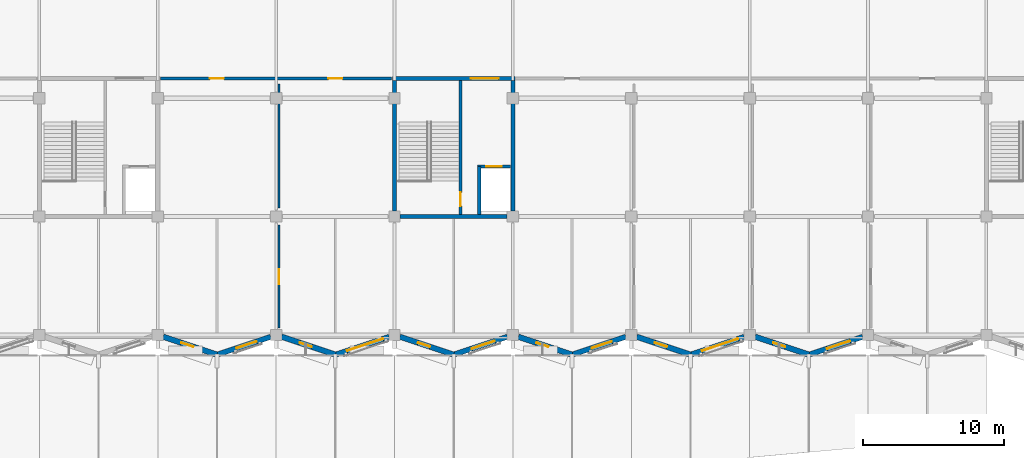
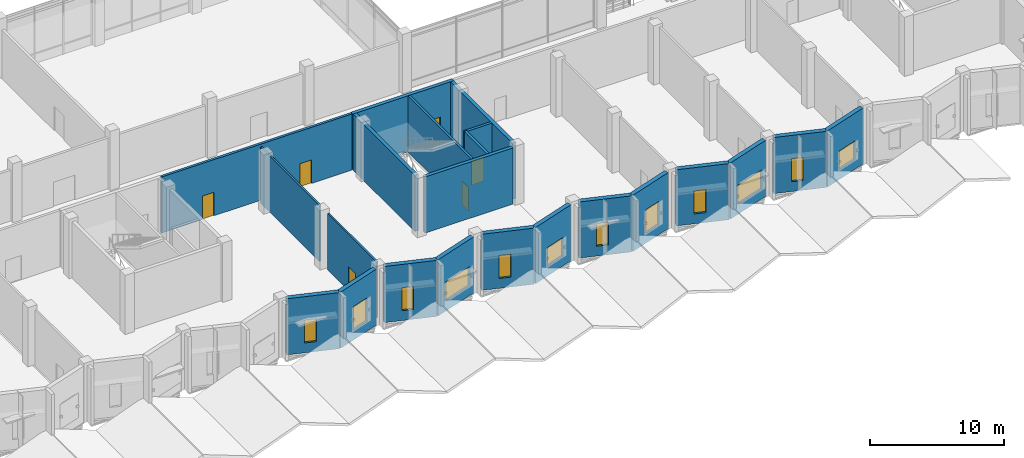
# One storey, part 56 of 72: 22 walls, 12 windows, 6 doors, 18 openings.
"""IFC4 building model written with IfcOpenShell, lengths in metres."""

import ifcopenshell
import ifcopenshell.guid

model = None  # the IFC model being written
_history = None  # IfcOwnerHistory: only IFC2X3 demands one
_inside = {}  # id of a spatial element -> (the spatial element, [elements in it])
_under = {}  # id of a project, library or spatial element -> (it, [spatial elements below it])
_declared = {}  # id of a project -> (the project, [libraries it declares])
_typed = {}  # id of a type object -> (the type object, [elements of that type])
_made_of = {}  # id of a material, layer set ... -> (it, [elements and type objects made of it])


def new_model(schema):
    """Start an empty IFC model of exactly this schema.

    Asked for "IFC4X3", IfcOpenShell would pick the latest addendum, in which some entities
    have other attributes; the version numbers below select the first issue.
    IFC2X3 requires an IfcOwnerHistory on every rooted entity: one is made here for all.
    """
    global model, _history
    if schema == "IFC4X3":
        model = ifcopenshell.file(schema_version=(4, 3, 0, 0))
    else:
        model = ifcopenshell.file(schema=schema)
    _inside.clear()
    _under.clear()
    _declared.clear()
    _typed.clear()
    _made_of.clear()
    _history = None
    if model.schema == "IFC2X3":
        org = make("IfcOrganization", Name="unknown")
        user = make(
            "IfcPersonAndOrganization",
            ThePerson=make("IfcPerson", FamilyName="unknown"),
            TheOrganization=org,
        )
        app = make(
            "IfcApplication",
            ApplicationDeveloper=org,
            Version="unknown",
            ApplicationFullName="unknown",
            ApplicationIdentifier="unknown",
        )
        _history = make(
            "IfcOwnerHistory",
            OwningUser=user,
            OwningApplication=app,
            ChangeAction="ADDED",
            CreationDate=0,
        )
    return model


def make(cls, **values):
    """One entity of the class cls with the attributes given. An attribute that is None is left unset."""
    return model.create_entity(
        cls, **{name: value for name, value in values.items() if value is not None}
    )


def rooted(cls, **values):
    """An entity with a GlobalId (a new one), such as an element, a storey or a relation."""
    return make(cls, GlobalId=ifcopenshell.guid.new(), OwnerHistory=_history, **values)


def si_unit(unit_type, name, prefix=None):
    """IfcSIUnit, for example si_unit("LENGTHUNIT", "METRE", prefix="MILLI")."""
    return make("IfcSIUnit", UnitType=unit_type, Prefix=prefix, Name=name)


def assignment(units):
    """IfcUnitAssignment: the units of a project."""
    return None if units is None else make("IfcUnitAssignment", Units=units)


def point(xyz):
    """IfcCartesianPoint."""
    return None if xyz is None else make("IfcCartesianPoint", Coordinates=xyz)


def direction(xyz):
    """IfcDirection."""
    return None if xyz is None else make("IfcDirection", DirectionRatios=xyz)


def frame(location, z_axis=None, x_axis=None):
    """IfcAxis2Placement3D, a coordinate frame: its origin and axes. An axis left out is left unset."""
    return make(
        "IfcAxis2Placement3D",
        Location=point(location),
        Axis=direction(z_axis),
        RefDirection=direction(x_axis),
    )


def frame_2d(location, x_axis=None):
    """IfcAxis2Placement2D, a coordinate frame in the plane: its origin and x axis."""
    return make(
        "IfcAxis2Placement2D", Location=point(location), RefDirection=direction(x_axis)
    )


def origin():
    """The frame at (0, 0, 0) with its axes left unset."""
    return frame((0.0, 0.0, 0.0))


def place(relative_to, where):
    """IfcLocalPlacement: puts the frame where relative to a parent placement (None: the world)."""
    return make(
        "IfcLocalPlacement", PlacementRelTo=relative_to, RelativePlacement=where
    )


def context(
    kind, dimensions, precision=None, world=None, true_north=None, identifier=None
):
    """IfcGeometricRepresentationContext, for example the 3D "Model" context."""
    return make(
        "IfcGeometricRepresentationContext",
        ContextIdentifier=identifier,
        ContextType=kind,
        CoordinateSpaceDimension=dimensions,
        Precision=precision,
        WorldCoordinateSystem=world,
        TrueNorth=true_north,
    )


def subcontext(parent, identifier, kind, view, scale=None):
    """IfcGeometricRepresentationSubContext, for example "Body" below "Model"."""
    return make(
        "IfcGeometricRepresentationSubContext",
        ContextIdentifier=identifier,
        ContextType=kind,
        ParentContext=parent,
        TargetScale=scale,
        TargetView=view,
    )


def project(units=None, contexts=None):
    """IfcProject with its units and contexts."""
    return rooted(
        "IfcProject",
        Name="project",
        RepresentationContexts=contexts,
        UnitsInContext=assignment(units),
    )


def spatial(cls, under=None, at=None, **own):
    """A site, building, storey or space (cls), placed at a placement, below another one or the project."""
    s = rooted(cls, ObjectPlacement=at, **own)
    if under is not None:
        _under.setdefault(under.id(), (under, []))[1].append(s)
    return s


def profile(cls, at=None, kind="AREA", **sizes):
    """A parametric profile (cls). Its sizes go by their IFC names, for example OverallWidth=200.0."""
    return make(cls, ProfileType=kind, Position=at, **sizes)


def rectangle(**sizes):
    """IfcRectangleProfileDef."""
    return profile("IfcRectangleProfileDef", **sizes)


def extrude(swept, where, along, depth):
    """IfcExtrudedAreaSolid: the profile swept, set in the frame where, extruded along a direction by depth."""
    return make(
        "IfcExtrudedAreaSolid",
        SweptArea=swept,
        Position=where,
        ExtrudedDirection=direction(along),
        Depth=depth,
    )


def shape(context_of_items, identifier, shape_type, items):
    """IfcShapeRepresentation: the items that make up one representation, for example the "Body"."""
    return make(
        "IfcShapeRepresentation",
        ContextOfItems=context_of_items,
        RepresentationIdentifier=identifier,
        RepresentationType=shape_type,
        Items=items,
    )


def material(Name=None, Category=None):
    """IfcMaterial."""
    return make("IfcMaterial", Name=Name, Category=Category)


def layer(
    of_material, thickness, ventilated=None, Name=None, Category=None, Priority=None
):
    """IfcMaterialLayer: one layer of a wall or slab, of a material (None: an air gap)."""
    return make(
        "IfcMaterialLayer",
        Material=of_material,
        LayerThickness=thickness,
        IsVentilated=ventilated,
        Name=Name,
        Category=Category,
        Priority=Priority,
    )


def layer_set(layers, Name=None):
    """IfcMaterialLayerSet."""
    return make("IfcMaterialLayerSet", MaterialLayers=layers, LayerSetName=Name)


def made_of(thing, what):
    """Note that an element or type object is made of a material, layer set ...; save() writes the relation."""
    if what is not None:
        _made_of.setdefault(what.id(), (what, []))[1].append(thing)
    return thing


def type_object(cls, material=None, **own):
    """A type object (cls), such as IfcWallType, which elements share."""
    return made_of(rooted(cls, **own), material)


def element(
    cls,
    number,
    at=None,
    inside=None,
    cuts=None,
    type_object=None,
    material=None,
    context=None,
    identifier="Body",
    shape_type=None,
    held_by="IfcProductDefinitionShape",
    body=None,
    shapes=None,
    **own,
):
    """One element of the class cls, such as IfcWall. Its Tag is "e" and its number.

    at: its placement. inside: the storey or other place that contains it. cuts: it is an
    opening in that element (IfcRelVoidsElement). A single representation is given by context,
    identifier, shape_type and body (its items); several are given by shapes. held_by: the class
    of the entity that holds the representations. save() writes the other relations.
    """
    e = rooted(cls, Tag="e%d" % number, ObjectPlacement=at, **own)
    if body is not None:
        shapes = [shape(context, identifier, shape_type, body)]
    if shapes is not None:
        e.Representation = make(held_by, Representations=shapes)
    if inside is not None:
        _inside.setdefault(inside.id(), (inside, []))[1].append(e)
    if cuts is not None:
        rooted(
            "IfcRelVoidsElement", RelatingBuildingElement=cuts, RelatedOpeningElement=e
        )
    if type_object is not None:
        _typed.setdefault(type_object.id(), (type_object, []))[1].append(e)
    return made_of(e, material)


def fill(opening, filler):
    """IfcRelFillsElement: the door or window that sits in an opening."""
    return rooted(
        "IfcRelFillsElement",
        RelatingOpeningElement=opening,
        RelatedBuildingElement=filler,
    )


def aggregate(whole, parts):
    """IfcRelAggregates: a whole, such as a stair, and the parts it consists of."""
    return rooted("IfcRelAggregates", RelatingObject=whole, RelatedObjects=parts)


def save(model, path):
    """Write the relations noted so far, then the file.

    IfcRelAggregates (storeys below a building ...), IfcRelContainedInSpatialStructure (elements
    in a storey), IfcRelDefinesByType, IfcRelAssociatesMaterial and IfcRelDeclares: one each for
    every whole, place, type object, material and project.
    """
    for whole, parts in _under.values():
        aggregate(whole, parts)
    for where, things in _inside.values():
        rooted(
            "IfcRelContainedInSpatialStructure",
            RelatedElements=things,
            RelatingStructure=where,
        )
    for kind, things in _typed.values():
        rooted("IfcRelDefinesByType", RelatedObjects=things, RelatingType=kind)
    for what, things in _made_of.values():
        rooted("IfcRelAssociatesMaterial", RelatedObjects=things, RelatingMaterial=what)
    for by, libraries in _declared.values():
        rooted("IfcRelDeclares", RelatingContext=by, RelatedDefinitions=libraries)
    model.write(path)


model = new_model("IFC4")

# Units and contexts
model_context = context("Model", 3, precision=1e-05, world=origin(), true_north=direction((0.0, 1.0)))
body_context = subcontext(model_context, "Body", "Model", "MODEL_VIEW")
ifc_project = project(units=[si_unit("LENGTHUNIT", "METRE"), si_unit("AREAUNIT", "SQUARE_METRE"), si_unit("VOLUMEUNIT", "CUBIC_METRE"), si_unit("PLANEANGLEUNIT", "RADIAN"), si_unit("MASSUNIT", "GRAM", prefix="KILO")], contexts=[model_context])

# Site, building, storey
site_placement = place(None, origin())
site = spatial("IfcSite", under=ifc_project, at=site_placement, CompositionType="ELEMENT")
building_placement = place(site_placement, origin())
building = spatial("IfcBuilding", under=site, at=building_placement, Name="Qawsi Khor Wholesale Market", CompositionType="ELEMENT")
storey_placement = place(building_placement, frame((0.0, 0.0, 6.0)))
storey = spatial("IfcBuildingStorey", under=building, at=storey_placement, Name="L01", CompositionType="ELEMENT", Elevation=6.0)

# Walls
ifc_material_1 = material(Name="Concrete C40/50", Category="concrete")
ifc_layer_1 = layer(ifc_material_1, 0.300048828125, Name="Concrete C40/50")
ifc_layer_set_1 = layer_set([ifc_layer_1], Name="Concrete C40/50")
wall_type_1 = type_object("IfcWallType", Name="Core Shear Wall RC 300 C40/50", PredefinedType="SHEAR", material=ifc_layer_set_1)
wall_1_placement = place(storey_placement, frame((150.794921875, 8.39990234375, 0.0), z_axis=(0.0, 0.0, 1.0), x_axis=(-1.0, 0.0, 0.0)))
element("IfcWall", 1, at=wall_1_placement, inside=storey, type_object=wall_type_1, Name="Core C05 south shear wall L01", PredefinedType="SHEAR", context=body_context, shape_type="SweptSolid", body=[
    extrude(rectangle(XDim=7.58984375, YDim=0.300048828125, at=frame_2d((3.794921875, 0.0))), origin(), (0.0, 0.0, 1.0), 5.1201171875),
])
wall_2_placement = place(storey_placement, frame((142.800048828125, 8.804931640625, 0.0), z_axis=(0.0, 0.0, 1.0), x_axis=(0.0, 1.0, 0.0)))
element("IfcWall", 2, at=wall_2_placement, inside=storey, type_object=wall_type_1, Name="Core C05 west shear wall L01", PredefinedType="SHEAR", context=body_context, shape_type="SweptSolid", body=[
    extrude(rectangle(XDim=9.2451171875, YDim=0.300048828125, at=frame_2d((4.62255859375, 0.0))), origin(), (0.0, 0.0, 1.0), 5.1201171875),
])

# Wall, opening, door
wall_3_placement = place(storey_placement, frame((142.64990234375, 18.199951171875, 0.0), z_axis=(0.0, 0.0, 1.0), x_axis=(1.0, 0.0, 0.0)))
wall_3 = element("IfcWall", 3, at=wall_3_placement, inside=storey, type_object=wall_type_1, Name="Core C05 north shear wall L01", PredefinedType="SHEAR", context=body_context, shape_type="SweptSolid", body=[
    extrude(rectangle(XDim=8.7001953125, YDim=0.300048828125, at=frame_2d((4.35009765625, 0.0))), origin(), (0.0, 0.0, 1.0), 5.1201171875),
])
opening_1_placement = place(wall_3_placement, frame((5.570068359375, 0.0, 0.0)))
opening_1 = element("IfcOpeningElement", 4, at=opening_1_placement, cuts=wall_3, Name="Opening ID-01", PredefinedType="OPENING", context=body_context, shape_type="SweptSolid", body=[
    extrude(rectangle(XDim=1.9599609375, YDim=2.199951171875, at=frame_2d((0.97998046875, 1.10009765625))), frame((0.0, 0.159912109375, 0.0), z_axis=(0.0, -1.0, 0.0), x_axis=(1.0, 0.0, 0.0)), (0.0, 0.0, 1.0), 0.320068359375),
])
ifc_material_2 = material(Name="Steel Fire Door", Category="steel")
door_type_1 = type_object("IfcDoorType", Name="Stair & Core Fire Door 1960x2200 FD90S", OperationType="NOTDEFINED", PredefinedType="DOOR", material=ifc_material_2)
door_1_placement = place(opening_1_placement, origin())
door_1 = element("IfcDoor", 5, at=door_1_placement, inside=storey, type_object=door_type_1, Name="Core C05 fire door L01", OperationType="DOUBLE_DOOR_SINGLE_SWING", OverallHeight=2.199951171875, OverallWidth=1.9599609375, PredefinedType="DOOR", context=body_context, shape_type="SweptSolid", body=[
    extrude(rectangle(XDim=1.9599609375, YDim=2.199951171875, at=frame_2d((0.97998046875, 1.10009765625))), frame((0.0, 0.02490234375, 0.0), z_axis=(0.0, -1.0, 0.0), x_axis=(1.0, 0.0, 0.0)), (0.0, 0.0, 1.0), 0.050048828125),
])
fill(opening_1, door_1)

# Wall
wall_4_placement = place(storey_placement, frame((151.199951171875, 18.050048828125, 0.0), z_axis=(0.0, 0.0, 1.0), x_axis=(0.0, -1.0, 0.0)))
element("IfcWall", 6, at=wall_4_placement, inside=storey, type_object=wall_type_1, Name="Core C05 east shear wall L01", PredefinedType="SHEAR", context=body_context, shape_type="SweptSolid", body=[
    extrude(rectangle(XDim=9.2451171875, YDim=0.300048828125, at=frame_2d((4.62255859375, 0.0))), origin(), (0.0, 0.0, 1.0), 5.1201171875),
])

# Wall, openings, doors
ifc_material_3 = material(Name="Gypsum Fireboard on Steel Stud", Category="steel")
ifc_layer_2 = layer(ifc_material_3, 0.2099609375, Name="Gypsum Fireboard on Steel Stud")
ifc_layer_set_2 = layer_set([ifc_layer_2], Name="Gypsum Fireboard on Steel Stud")
wall_type_2 = type_object("IfcWallType", Name="Corridor Fire Partition Wall 210", PredefinedType="PARTITIONING", material=ifc_layer_set_2)
wall_5_placement = place(storey_placement, frame((126.199951171875, 18.199951171875, 0.0), z_axis=(0.0, 0.0, 1.0), x_axis=(1.0, 0.0, 0.0)))
wall_5 = element("IfcWall", 7, at=wall_5_placement, inside=storey, type_object=wall_type_2, Name="PW-L01-055", PredefinedType="PARTITIONING", context=body_context, shape_type="SweptSolid", body=[
    extrude(rectangle(XDim=16.400146484375, YDim=0.2099609375, at=frame_2d((8.2001953125, 0.0))), origin(), (0.0, 0.0, 1.0), 5.1201171875),
])
opening_2_placement = place(wall_5_placement, frame((3.5, 0.0, 0.0)))
opening_2 = element("IfcOpeningElement", 8, at=opening_2_placement, cuts=wall_5, Name="Opening ID-06", PredefinedType="OPENING", context=body_context, shape_type="SweptSolid", body=[
    extrude(rectangle(XDim=1.0, YDim=2.14990234375, at=frame_2d((0.5, 1.074951171875))), frame((0.0, 0.114990234375, 0.0), z_axis=(0.0, -1.0, 0.0), x_axis=(1.0, 0.0, 0.0)), (0.0, 0.0, 1.0), 0.22998046875),
])
opening_3_placement = place(wall_5_placement, frame((11.89990234375, 0.0, 0.0)))
opening_3 = element("IfcOpeningElement", 9, at=opening_3_placement, cuts=wall_5, Name="Opening ID-06", PredefinedType="OPENING", context=body_context, shape_type="SweptSolid", body=[
    extrude(rectangle(XDim=1.0, YDim=2.14990234375, at=frame_2d((0.5, 1.074951171875))), frame((0.0, 0.114990234375, 0.0), z_axis=(0.0, -1.0, 0.0), x_axis=(1.0, 0.0, 0.0)), (0.0, 0.0, 1.0), 0.22998046875),
])
ifc_material_4 = material(Name="Hardwood Timber Veneer", Category="wood")
door_type_2 = type_object("IfcDoorType", Name="Traders Office Single Door 1000x2150", OperationType="NOTDEFINED", PredefinedType="DOOR", material=ifc_material_4)
door_2_placement = place(opening_2_placement, origin())
door_2 = element("IfcDoor", 10, at=door_2_placement, inside=storey, type_object=door_type_2, Name="Traders Office Single Door 1000x2150 L01-059", OperationType="SINGLE_SWING_LEFT", OverallHeight=2.14990234375, OverallWidth=1.0, PredefinedType="DOOR", context=body_context, shape_type="SweptSolid", body=[
    extrude(rectangle(XDim=1.0, YDim=2.14990234375, at=frame_2d((0.5, 1.074951171875))), frame((0.0, 0.02490234375, 0.0), z_axis=(0.0, -1.0, 0.0), x_axis=(1.0, 0.0, 0.0)), (0.0, 0.0, 1.0), 0.050048828125),
])
fill(opening_2, door_2)
door_3_placement = place(opening_3_placement, origin())
door_3 = element("IfcDoor", 11, at=door_3_placement, inside=storey, type_object=door_type_2, Name="Traders Office Single Door 1000x2150 L01-060", OperationType="SINGLE_SWING_RIGHT", OverallHeight=2.14990234375, OverallWidth=1.0, PredefinedType="DOOR", context=body_context, shape_type="SweptSolid", body=[
    extrude(rectangle(XDim=1.0, YDim=2.14990234375, at=frame_2d((0.5, 1.074951171875))), frame((0.0, 0.02490234375, 0.0), z_axis=(0.0, -1.0, 0.0), x_axis=(1.0, 0.0, 0.0)), (0.0, 0.0, 1.0), 0.050048828125),
])
fill(opening_3, door_3)

# Wall
ifc_layer_3 = layer(ifc_material_1, 0.219970703125, Name="Concrete C40/50")
ifc_layer_set_3 = layer_set([ifc_layer_3], Name="Concrete C40/50")
wall_type_3 = type_object("IfcWallType", Name="Lift & Stair Shaft Wall RC 220", PredefinedType="SOLIDWALL", material=ifc_layer_set_3)
wall_6_placement = place(storey_placement, frame((148.81005859375, 8.56005859375, 0.0), z_axis=(0.0, 0.0, 1.0), x_axis=(0.0, 1.0, 0.0)))
element("IfcWall", 12, at=wall_6_placement, inside=storey, type_object=wall_type_3, Name="Lift PL-03 shaft wall W L01", PredefinedType="SOLIDWALL", context=body_context, shape_type="SweptSolid", body=[
    extrude(rectangle(XDim=3.389892578125, YDim=0.219970703125, at=frame_2d((1.69482421875, 0.0))), origin(), (0.0, 0.0, 1.0), 5.1201171875),
])

# Wall, opening, door
wall_7_placement = place(storey_placement, frame((148.699951171875, 11.949951171875, 0.0), z_axis=(0.0, 0.0, 1.0), x_axis=(1.0, 0.0, 0.0)))
wall_7 = element("IfcWall", 13, at=wall_7_placement, inside=storey, type_object=wall_type_3, Name="Lift PL-03 shaft wall N L01", PredefinedType="SOLIDWALL", context=body_context, shape_type="SweptSolid", body=[
    extrude(rectangle(XDim=2.340087890625, YDim=0.219970703125, at=frame_2d((1.169921875, 0.0))), origin(), (0.0, 0.0, 1.0), 5.1201171875),
])
opening_4_placement = place(wall_7_placement, frame((0.6201171875, 0.0, 0.0)))
opening_4 = element("IfcOpeningElement", 14, at=opening_4_placement, cuts=wall_7, Name="Opening LD-P110", PredefinedType="OPENING", context=body_context, shape_type="SweptSolid", body=[
    extrude(rectangle(XDim=1.10009765625, YDim=2.199951171875, at=frame_2d((0.550048828125, 1.10009765625))), frame((0.0, 0.119873046875, 0.0), z_axis=(0.0, -1.0, 0.0), x_axis=(1.0, 0.0, 0.0)), (0.0, 0.0, 1.0), 0.239990234375),
])
ifc_material_5 = material(Name="Brushed Stainless Steel", Category="steel")
door_type_3 = type_object("IfcDoorType", Name="Passenger Lift Landing Sliding Door 1100x2200 FD90S", OperationType="NOTDEFINED", PredefinedType="DOOR", material=ifc_material_5)
door_4_placement = place(opening_4_placement, origin())
door_4 = element("IfcDoor", 15, at=door_4_placement, inside=storey, type_object=door_type_3, Name="Lift PL-03 landing door L01", OperationType="SLIDING_TO_RIGHT", OverallHeight=2.199951171875, OverallWidth=1.10009765625, PredefinedType="DOOR", context=body_context, shape_type="SweptSolid", body=[
    extrude(rectangle(XDim=1.10009765625, YDim=2.199951171875, at=frame_2d((0.550048828125, 1.10009765625))), frame((0.0, 0.02490234375, 0.0), z_axis=(0.0, -1.0, 0.0), x_axis=(1.0, 0.0, 0.0)), (0.0, 0.0, 1.0), 0.050048828125),
])
fill(opening_4, door_4)

ifc_material_6 = material(Name="Gypsum Board on Metal Stud", Category="gypsum")
ifc_layer_4 = layer(ifc_material_6, 0.14990234375, Name="Gypsum Board on Metal Stud")
ifc_layer_set_4 = layer_set([ifc_layer_4], Name="Gypsum Board on Metal Stud")
wall_type_4 = type_object("IfcWallType", Name="Office Partition Wall 150", PredefinedType="PARTITIONING", material=ifc_layer_set_4)
wall_8_placement = place(storey_placement, frame((134.60009765625, 0.5, 0.0), z_axis=(0.0, 0.0, 1.0), x_axis=(0.0, 1.0, 0.0)))
wall_8 = element("IfcWall", 16, at=wall_8_placement, inside=storey, type_object=wall_type_4, Name="PW-L01-056", PredefinedType="PARTITIONING", context=body_context, shape_type="SweptSolid", body=[
    extrude(rectangle(XDim=7.300048828125, YDim=0.14990234375, at=frame_2d((3.64990234375, 0.0))), origin(), (0.0, 0.0, 1.0), 5.1201171875),
])
opening_5_placement = place(wall_8_placement, frame((3.10009765625, 0.0, 0.0)))
opening_5 = element("IfcOpeningElement", 17, at=opening_5_placement, cuts=wall_8, Name="Opening ID-07", PredefinedType="OPENING", context=body_context, shape_type="SweptSolid", body=[
    extrude(rectangle(XDim=1.06005859375, YDim=2.179931640625, at=frame_2d((0.530029296875, 1.08984375))), frame((0.0, 0.0849609375, 0.0), z_axis=(0.0, -1.0, 0.0), x_axis=(1.0, 0.0, 0.0)), (0.0, 0.0, 1.0), 0.169921875),
])
door_type_4 = type_object("IfcDoorType", Name="Clearinghouse Suite Door 1060x2180", OperationType="NOTDEFINED", PredefinedType="DOOR", material=ifc_material_4)
door_5_placement = place(opening_5_placement, origin())
door_5 = element("IfcDoor", 18, at=door_5_placement, inside=storey, type_object=door_type_4, Name="Clearinghouse Suite Door 1060x2180 L01-061", OperationType="SINGLE_SWING_RIGHT", OverallHeight=2.179931640625, OverallWidth=1.06005859375, PredefinedType="DOOR", context=body_context, shape_type="SweptSolid", body=[
    extrude(rectangle(XDim=1.06005859375, YDim=2.179931640625, at=frame_2d((0.530029296875, 1.08984375))), frame((0.0, 0.02490234375, 0.0), z_axis=(0.0, -1.0, 0.0), x_axis=(1.0, 0.0, 0.0)), (0.0, 0.0, 1.0), 0.050048828125),
])
fill(opening_5, door_5)

# Wall
wall_9_placement = place(storey_placement, frame((134.60009765625, 9.0, 0.0), z_axis=(0.0, 0.0, 1.0), x_axis=(0.0, 1.0, 0.0)))
element("IfcWall", 19, at=wall_9_placement, inside=storey, type_object=wall_type_4, Name="PW-L01-057", PredefinedType="PARTITIONING", context=body_context, shape_type="SweptSolid", body=[
    extrude(rectangle(XDim=8.800048828125, YDim=0.14990234375, at=frame_2d((4.39990234375, 0.0))), origin(), (0.0, 0.0, 1.0), 5.1201171875),
])

# Wall, opening, door
ifc_layer_5 = layer(ifc_material_1, 0.18994140625, Name="Concrete C40/50")
ifc_layer_set_5 = layer_set([ifc_layer_5], Name="Concrete C40/50")
wall_type_5 = type_object("IfcWallType", Name="Stairwell Enclosure Wall RC 190", PredefinedType="SOLIDWALL", material=ifc_layer_set_5)
wall_10_placement = place(storey_placement, frame((147.47998046875, 8.56005859375, 0.0), z_axis=(0.0, 0.0, 1.0), x_axis=(0.0, 1.0, 0.0)))
wall_10 = element("IfcWall", 20, at=wall_10_placement, inside=storey, type_object=wall_type_5, Name="Core C05 stairwell enclosure wall L01", PredefinedType="SOLIDWALL", context=body_context, shape_type="SweptSolid", body=[
    extrude(rectangle(XDim=9.47998046875, YDim=0.18994140625, at=frame_2d((4.739990234375, 0.0))), origin(), (0.0, 0.0, 1.0), 5.1201171875),
])
opening_6_placement = place(wall_10_placement, frame((0.580078125, 0.0, 0.0)))
opening_6 = element("IfcOpeningElement", 21, at=opening_6_placement, cuts=wall_10, Name="Opening ID-17", PredefinedType="OPENING", context=body_context, shape_type="SweptSolid", body=[
    extrude(rectangle(XDim=0.97998046875, YDim=2.14990234375, at=frame_2d((0.489990234375, 1.074951171875))), frame((0.0, 0.10498046875, 0.0), z_axis=(0.0, -1.0, 0.0), x_axis=(1.0, 0.0, 0.0)), (0.0, 0.0, 1.0), 0.2099609375),
])
door_type_5 = type_object("IfcDoorType", Name="Core Stair Lobby Fire Door 980x2150 FD120S", OperationType="NOTDEFINED", PredefinedType="DOOR", material=ifc_material_2)
door_6_placement = place(opening_6_placement, origin())
door_6 = element("IfcDoor", 22, at=door_6_placement, inside=storey, type_object=door_type_5, Name="Core C05 stair enclosure fire door L01", OperationType="SINGLE_SWING_LEFT", OverallHeight=2.14990234375, OverallWidth=0.97998046875, PredefinedType="DOOR", context=body_context, shape_type="SweptSolid", body=[
    extrude(rectangle(XDim=0.97998046875, YDim=2.14990234375, at=frame_2d((0.489990234375, 1.074951171875))), frame((0.0, 0.02490234375, 0.0), z_axis=(0.0, -1.0, 0.0), x_axis=(1.0, 0.0, 0.0)), (0.0, 0.0, 1.0), 0.050048828125),
])
fill(opening_6, door_6)

# Wall, opening, window
ifc_layer_6 = layer(ifc_material_1, 0.3701171875, Name="Concrete C40/50")
ifc_layer_set_6 = layer_set([ifc_layer_6], Name="Concrete C40/50")
wall_type_6 = type_object("IfcWallType", Name="Turned-Bay Concrete Facade Wall 370", PredefinedType="SOLIDWALL", material=ifc_layer_set_6)
wall_11_placement = place(storey_placement, frame((134.015869140625, -0.128173828125, 0.0), z_axis=(0.0, 0.0, 1.0), x_axis=(-0.94870150572, -0.316173137767, 0.0)))
wall_11 = element("IfcWall", 23, at=wall_11_placement, inside=storey, type_object=wall_type_6, Name="EW-L01-SBAY-26", PredefinedType="SOLIDWALL", context=body_context, shape_type="SweptSolid", body=[
    extrude(rectangle(XDim=4.022216796875, YDim=0.3701171875, at=frame_2d((2.01123046875, 0.0))), origin(), (0.0, 0.0, 1.0), 5.1201171875),
])
opening_7_placement = place(wall_11_placement, frame((1.05810546875, 0.0, 0.89990234375)))
opening_7 = element("IfcOpeningElement", 24, at=opening_7_placement, cuts=wall_11, Name="Opening W-04", PredefinedType="OPENING", context=body_context, shape_type="SweptSolid", body=[
    extrude(rectangle(XDim=1.5, YDim=2.14990234375, at=frame_2d((0.75, 1.074951171875))), frame((0.0, 0.195068359375, 0.0), z_axis=(0.0, -1.0, 0.0), x_axis=(1.0, 0.0, 0.0)), (0.0, 0.0, 1.0), 0.39013671875),
])
ifc_material_7 = material(Name="Thermally Broken Aluminium & Low-E Glass", Category="aluminium")
window_type_1 = type_object("IfcWindowType", Name="Win W-04 Turned-Bay Wide 1500x2150", PartitioningType="SINGLE_PANEL", PredefinedType="WINDOW", material=ifc_material_7)
window_1_placement = place(opening_7_placement, origin())
window_1 = element("IfcWindow", 25, at=window_1_placement, inside=storey, type_object=window_type_1, Name="Win W-04 Turned-Bay Wide 1500x2150 026", OverallHeight=2.14990234375, OverallWidth=1.5, PartitioningType="SINGLE_PANEL", PredefinedType="WINDOW", context=body_context, shape_type="SweptSolid", body=[
    extrude(rectangle(XDim=1.5, YDim=2.14990234375, at=frame_2d((0.75, 1.074951171875))), frame((0.0, 0.030029296875, 0.0), z_axis=(0.0, -1.0, 0.0), x_axis=(1.0, 0.0, 0.0)), (0.0, 0.0, 1.0), 0.06005859375),
])
fill(opening_7, window_1)

wall_12_placement = place(storey_placement, frame((142.415771484375, -0.128173828125, 0.0), z_axis=(0.0, 0.0, 1.0), x_axis=(-0.948695437545, -0.316191345203, 0.0)))
wall_12 = element("IfcWall", 26, at=wall_12_placement, inside=storey, type_object=wall_type_6, Name="EW-L01-SBAY-28", PredefinedType="SOLIDWALL", context=body_context, shape_type="SweptSolid", body=[
    extrude(rectangle(XDim=4.02197265625, YDim=0.3701171875, at=frame_2d((2.010986328125, 0.0))), origin(), (0.0, 0.0, 1.0), 5.1201171875),
])
opening_8_placement = place(wall_12_placement, frame((0.4580078125, 0.0, 0.89990234375)))
opening_8 = element("IfcOpeningElement", 27, at=opening_8_placement, cuts=wall_12, Name="Opening W-09", PredefinedType="OPENING", context=body_context, shape_type="SweptSolid", body=[
    extrude(rectangle(XDim=2.699951171875, YDim=1.75, at=frame_2d((1.35009765625, 0.875))), frame((0.0, 0.195068359375, 0.0), z_axis=(0.0, -1.0, 0.0), x_axis=(1.0, 0.0, 0.0)), (0.0, 0.0, 1.0), 0.39013671875),
])
window_type_2 = type_object("IfcWindowType", Name="Win W-09 Clearinghouse Wide 2700x1750", PartitioningType="SINGLE_PANEL", PredefinedType="WINDOW", material=ifc_material_7)
window_2_placement = place(opening_8_placement, origin())
window_2 = element("IfcWindow", 28, at=window_2_placement, inside=storey, type_object=window_type_2, Name="Win W-09 Clearinghouse Wide 2700x1750 028", OverallHeight=1.75, OverallWidth=2.699951171875, PartitioningType="SINGLE_PANEL", PredefinedType="WINDOW", context=body_context, shape_type="SweptSolid", body=[
    extrude(rectangle(XDim=2.699951171875, YDim=1.75, at=frame_2d((1.35009765625, 0.875))), frame((0.0, 0.030029296875, 0.0), z_axis=(0.0, -1.0, 0.0), x_axis=(1.0, 0.0, 0.0)), (0.0, 0.0, 1.0), 0.06005859375),
])
fill(opening_8, window_2)

wall_13_placement = place(storey_placement, frame((150.81591796875, -0.128173828125, 0.0), z_axis=(0.0, 0.0, 1.0), x_axis=(-0.94870150572, -0.316173137767, 0.0)))
wall_13 = element("IfcWall", 29, at=wall_13_placement, inside=storey, type_object=wall_type_6, Name="EW-L01-SBAY-30", PredefinedType="SOLIDWALL", context=body_context, shape_type="SweptSolid", body=[
    extrude(rectangle(XDim=4.022216796875, YDim=0.3701171875, at=frame_2d((2.01123046875, 0.0))), origin(), (0.0, 0.0, 1.0), 5.1201171875),
])
opening_9_placement = place(wall_13_placement, frame((0.947998046875, 0.0, 0.89990234375)))
opening_9 = element("IfcOpeningElement", 30, at=opening_9_placement, cuts=wall_13, Name="Opening W-23", PredefinedType="OPENING", context=body_context, shape_type="SweptSolid", body=[
    extrude(rectangle(XDim=1.719970703125, YDim=1.699951171875, at=frame_2d((0.85986328125, 0.85009765625))), frame((0.0, 0.195068359375, 0.0), z_axis=(0.0, -1.0, 0.0), x_axis=(1.0, 0.0, 0.0)), (0.0, 0.0, 1.0), 0.39013671875),
])
window_type_3 = type_object("IfcWindowType", Name="Win W-23 East Office Punched 1720x1700", PartitioningType="SINGLE_PANEL", PredefinedType="WINDOW", material=ifc_material_7)
window_3_placement = place(opening_9_placement, origin())
window_3 = element("IfcWindow", 31, at=window_3_placement, inside=storey, type_object=window_type_3, Name="Win W-23 East Office Punched 1720x1700 030", OverallHeight=1.699951171875, OverallWidth=1.719970703125, PartitioningType="SINGLE_PANEL", PredefinedType="WINDOW", context=body_context, shape_type="SweptSolid", body=[
    extrude(rectangle(XDim=1.719970703125, YDim=1.699951171875, at=frame_2d((0.85986328125, 0.85009765625))), frame((0.0, 0.030029296875, 0.0), z_axis=(0.0, -1.0, 0.0), x_axis=(1.0, 0.0, 0.0)), (0.0, 0.0, 1.0), 0.06005859375),
])
fill(opening_9, window_3)

wall_14_placement = place(storey_placement, frame((159.2158203125, -0.128173828125, 0.0), z_axis=(0.0, 0.0, 1.0), x_axis=(-0.94870150572, -0.316173137767, 0.0)))
wall_14 = element("IfcWall", 32, at=wall_14_placement, inside=storey, type_object=wall_type_6, Name="EW-L01-SBAY-32", PredefinedType="SOLIDWALL", context=body_context, shape_type="SweptSolid", body=[
    extrude(rectangle(XDim=4.022216796875, YDim=0.3701171875, at=frame_2d((2.01123046875, 0.0))), origin(), (0.0, 0.0, 1.0), 5.1201171875),
])
opening_10_placement = place(wall_14_placement, frame((1.05810546875, 0.0, 0.89990234375)))
opening_10 = element("IfcOpeningElement", 33, at=opening_10_placement, cuts=wall_14, Name="Opening W-04", PredefinedType="OPENING", context=body_context, shape_type="SweptSolid", body=[
    extrude(rectangle(XDim=1.5, YDim=2.14990234375, at=frame_2d((0.75, 1.074951171875))), frame((0.0, 0.195068359375, 0.0), z_axis=(0.0, -1.0, 0.0), x_axis=(1.0, 0.0, 0.0)), (0.0, 0.0, 1.0), 0.39013671875),
])
window_4_placement = place(opening_10_placement, origin())
window_4 = element("IfcWindow", 34, at=window_4_placement, inside=storey, type_object=window_type_1, Name="Win W-04 Turned-Bay Wide 1500x2150 032", OverallHeight=2.14990234375, OverallWidth=1.5, PartitioningType="SINGLE_PANEL", PredefinedType="WINDOW", context=body_context, shape_type="SweptSolid", body=[
    extrude(rectangle(XDim=1.5, YDim=2.14990234375, at=frame_2d((0.75, 1.074951171875))), frame((0.0, 0.030029296875, 0.0), z_axis=(0.0, -1.0, 0.0), x_axis=(1.0, 0.0, 0.0)), (0.0, 0.0, 1.0), 0.06005859375),
])
fill(opening_10, window_4)

wall_15_placement = place(storey_placement, frame((167.61572265625, -0.128173828125, 0.0), z_axis=(0.0, 0.0, 1.0), x_axis=(-0.948695437545, -0.316191345203, 0.0)))
wall_15 = element("IfcWall", 35, at=wall_15_placement, inside=storey, type_object=wall_type_6, Name="EW-L01-SBAY-34", PredefinedType="SOLIDWALL", context=body_context, shape_type="SweptSolid", body=[
    extrude(rectangle(XDim=4.02197265625, YDim=0.3701171875, at=frame_2d((2.010986328125, 0.0))), origin(), (0.0, 0.0, 1.0), 5.1201171875),
])
opening_11_placement = place(wall_15_placement, frame((0.4580078125, 0.0, 0.89990234375)))
opening_11 = element("IfcOpeningElement", 36, at=opening_11_placement, cuts=wall_15, Name="Opening W-09", PredefinedType="OPENING", context=body_context, shape_type="SweptSolid", body=[
    extrude(rectangle(XDim=2.699951171875, YDim=1.75, at=frame_2d((1.35009765625, 0.875))), frame((0.0, 0.195068359375, 0.0), z_axis=(0.0, -1.0, 0.0), x_axis=(1.0, 0.0, 0.0)), (0.0, 0.0, 1.0), 0.39013671875),
])
window_5_placement = place(opening_11_placement, origin())
window_5 = element("IfcWindow", 37, at=window_5_placement, inside=storey, type_object=window_type_2, Name="Win W-09 Clearinghouse Wide 2700x1750 034", OverallHeight=1.75, OverallWidth=2.699951171875, PartitioningType="SINGLE_PANEL", PredefinedType="WINDOW", context=body_context, shape_type="SweptSolid", body=[
    extrude(rectangle(XDim=2.699951171875, YDim=1.75, at=frame_2d((1.35009765625, 0.875))), frame((0.0, 0.030029296875, 0.0), z_axis=(0.0, -1.0, 0.0), x_axis=(1.0, 0.0, 0.0)), (0.0, 0.0, 1.0), 0.06005859375),
])
fill(opening_11, window_5)

wall_16_placement = place(storey_placement, frame((176.015869140625, -0.128173828125, 0.0), z_axis=(0.0, 0.0, 1.0), x_axis=(-0.94870150572, -0.316173137767, 0.0)))
wall_16 = element("IfcWall", 38, at=wall_16_placement, inside=storey, type_object=wall_type_6, Name="EW-L01-SBAY-36", PredefinedType="SOLIDWALL", context=body_context, shape_type="SweptSolid", body=[
    extrude(rectangle(XDim=4.022216796875, YDim=0.3701171875, at=frame_2d((2.01123046875, 0.0))), origin(), (0.0, 0.0, 1.0), 5.1201171875),
])
opening_12_placement = place(wall_16_placement, frame((0.947998046875, 0.0, 0.89990234375)))
opening_12 = element("IfcOpeningElement", 39, at=opening_12_placement, cuts=wall_16, Name="Opening W-23", PredefinedType="OPENING", context=body_context, shape_type="SweptSolid", body=[
    extrude(rectangle(XDim=1.719970703125, YDim=1.699951171875, at=frame_2d((0.85986328125, 0.85009765625))), frame((0.0, 0.195068359375, 0.0), z_axis=(0.0, -1.0, 0.0), x_axis=(1.0, 0.0, 0.0)), (0.0, 0.0, 1.0), 0.39013671875),
])
window_6_placement = place(opening_12_placement, origin())
window_6 = element("IfcWindow", 40, at=window_6_placement, inside=storey, type_object=window_type_3, Name="Win W-23 East Office Punched 1720x1700 036", OverallHeight=1.699951171875, OverallWidth=1.719970703125, PartitioningType="SINGLE_PANEL", PredefinedType="WINDOW", context=body_context, shape_type="SweptSolid", body=[
    extrude(rectangle(XDim=1.719970703125, YDim=1.699951171875, at=frame_2d((0.85986328125, 0.85009765625))), frame((0.0, 0.030029296875, 0.0), z_axis=(0.0, -1.0, 0.0), x_axis=(1.0, 0.0, 0.0)), (0.0, 0.0, 1.0), 0.06005859375),
])
fill(opening_12, window_6)

ifc_layer_7 = layer(ifc_material_1, 0.389892578125, Name="Concrete C40/50")
ifc_layer_set_7 = layer_set([ifc_layer_7], Name="Concrete C40/50")
wall_type_7 = type_object("IfcWallType", Name="Turned-Bay Concrete Facade Wall 390", PredefinedType="SOLIDWALL", material=ifc_layer_set_7)
wall_17_placement = place(storey_placement, frame((130.199951171875, -1.39990234375, 0.0), z_axis=(0.0, 0.0, 1.0), x_axis=(-0.948695437545, 0.316191345203, 0.0)))
wall_17 = element("IfcWall", 41, at=wall_17_placement, inside=storey, type_object=wall_type_7, Name="EW-L01-SBAY-25", PredefinedType="SOLIDWALL", context=body_context, shape_type="SweptSolid", body=[
    extrude(rectangle(XDim=4.02197265625, YDim=0.389892578125, at=frame_2d((2.010986328125, 0.0))), origin(), (0.0, 0.0, 1.0), 5.1201171875),
])
opening_13_placement = place(wall_17_placement, frame((1.762939453125, 0.0, 0.89990234375)))
opening_13 = element("IfcOpeningElement", 42, at=opening_13_placement, cuts=wall_17, Name="Opening W-02", PredefinedType="OPENING", context=body_context, shape_type="SweptSolid", body=[
    extrude(rectangle(XDim=0.89990234375, YDim=2.10009765625, at=frame_2d((0.449951171875, 1.050048828125))), frame((0.0, 0.204833984375, 0.0), z_axis=(0.0, -1.0, 0.0), x_axis=(1.0, 0.0, 0.0)), (0.0, 0.0, 1.0), 0.409912109375),
])
window_type_4 = type_object("IfcWindowType", Name="Win W-02 Deep-Set Narrow 900x2100", PartitioningType="SINGLE_PANEL", PredefinedType="WINDOW", material=ifc_material_7)
window_7_placement = place(opening_13_placement, origin())
window_7 = element("IfcWindow", 43, at=window_7_placement, inside=storey, type_object=window_type_4, Name="Win W-02 Deep-Set Narrow 900x2100 025", OverallHeight=2.10009765625, OverallWidth=0.89990234375, PartitioningType="SINGLE_PANEL", PredefinedType="WINDOW", context=body_context, shape_type="SweptSolid", body=[
    extrude(rectangle(XDim=0.89990234375, YDim=2.10009765625, at=frame_2d((0.449951171875, 1.050048828125))), frame((0.0, 0.030029296875, 0.0), z_axis=(0.0, -1.0, 0.0), x_axis=(1.0, 0.0, 0.0)), (0.0, 0.0, 1.0), 0.06005859375),
])
fill(opening_13, window_7)

wall_18_placement = place(storey_placement, frame((138.60009765625, -1.39990234375, 0.0), z_axis=(0.0, 0.0, 1.0), x_axis=(-0.94870150572, 0.316173137767, 0.0)))
wall_18 = element("IfcWall", 44, at=wall_18_placement, inside=storey, type_object=wall_type_7, Name="EW-L01-SBAY-27", PredefinedType="SOLIDWALL", context=body_context, shape_type="SweptSolid", body=[
    extrude(rectangle(XDim=4.022216796875, YDim=0.389892578125, at=frame_2d((2.01123046875, 0.0))), origin(), (0.0, 0.0, 1.0), 5.1201171875),
])
opening_14_placement = place(wall_18_placement, frame((1.762939453125, 0.0, 0.89990234375)))
opening_14 = element("IfcOpeningElement", 45, at=opening_14_placement, cuts=wall_18, Name="Opening W-02", PredefinedType="OPENING", context=body_context, shape_type="SweptSolid", body=[
    extrude(rectangle(XDim=0.89990234375, YDim=2.10009765625, at=frame_2d((0.449951171875, 1.050048828125))), frame((0.0, 0.204833984375, 0.0), z_axis=(0.0, -1.0, 0.0), x_axis=(1.0, 0.0, 0.0)), (0.0, 0.0, 1.0), 0.409912109375),
])
window_8_placement = place(opening_14_placement, origin())
window_8 = element("IfcWindow", 46, at=window_8_placement, inside=storey, type_object=window_type_4, Name="Win W-02 Deep-Set Narrow 900x2100 027", OverallHeight=2.10009765625, OverallWidth=0.89990234375, PartitioningType="SINGLE_PANEL", PredefinedType="WINDOW", context=body_context, shape_type="SweptSolid", body=[
    extrude(rectangle(XDim=0.89990234375, YDim=2.10009765625, at=frame_2d((0.449951171875, 1.050048828125))), frame((0.0, 0.030029296875, 0.0), z_axis=(0.0, -1.0, 0.0), x_axis=(1.0, 0.0, 0.0)), (0.0, 0.0, 1.0), 0.06005859375),
])
fill(opening_14, window_8)

wall_19_placement = place(storey_placement, frame((147.0, -1.39990234375, 0.0), z_axis=(0.0, 0.0, 1.0), x_axis=(-0.94870150572, 0.316173137767, 0.0)))
wall_19 = element("IfcWall", 47, at=wall_19_placement, inside=storey, type_object=wall_type_7, Name="EW-L01-SBAY-29", PredefinedType="SOLIDWALL", context=body_context, shape_type="SweptSolid", body=[
    extrude(rectangle(XDim=4.022216796875, YDim=0.389892578125, at=frame_2d((2.01123046875, 0.0))), origin(), (0.0, 0.0, 1.0), 5.1201171875),
])
opening_15_placement = place(wall_19_placement, frame((1.762939453125, 0.0, 0.89990234375)))
opening_15 = element("IfcOpeningElement", 48, at=opening_15_placement, cuts=wall_19, Name="Opening W-02", PredefinedType="OPENING", context=body_context, shape_type="SweptSolid", body=[
    extrude(rectangle(XDim=0.89990234375, YDim=2.10009765625, at=frame_2d((0.449951171875, 1.050048828125))), frame((0.0, 0.204833984375, 0.0), z_axis=(0.0, -1.0, 0.0), x_axis=(1.0, 0.0, 0.0)), (0.0, 0.0, 1.0), 0.409912109375),
])
window_9_placement = place(opening_15_placement, origin())
window_9 = element("IfcWindow", 49, at=window_9_placement, inside=storey, type_object=window_type_4, Name="Win W-02 Deep-Set Narrow 900x2100 029", OverallHeight=2.10009765625, OverallWidth=0.89990234375, PartitioningType="SINGLE_PANEL", PredefinedType="WINDOW", context=body_context, shape_type="SweptSolid", body=[
    extrude(rectangle(XDim=0.89990234375, YDim=2.10009765625, at=frame_2d((0.449951171875, 1.050048828125))), frame((0.0, 0.030029296875, 0.0), z_axis=(0.0, -1.0, 0.0), x_axis=(1.0, 0.0, 0.0)), (0.0, 0.0, 1.0), 0.06005859375),
])
fill(opening_15, window_9)

wall_20_placement = place(storey_placement, frame((155.39990234375, -1.39990234375, 0.0), z_axis=(0.0, 0.0, 1.0), x_axis=(-0.948695437545, 0.316191345203, 0.0)))
wall_20 = element("IfcWall", 50, at=wall_20_placement, inside=storey, type_object=wall_type_7, Name="EW-L01-SBAY-31", PredefinedType="SOLIDWALL", context=body_context, shape_type="SweptSolid", body=[
    extrude(rectangle(XDim=4.02197265625, YDim=0.389892578125, at=frame_2d((2.010986328125, 0.0))), origin(), (0.0, 0.0, 1.0), 5.1201171875),
])
opening_16_placement = place(wall_20_placement, frame((1.762939453125, 0.0, 0.89990234375)))
opening_16 = element("IfcOpeningElement", 51, at=opening_16_placement, cuts=wall_20, Name="Opening W-02", PredefinedType="OPENING", context=body_context, shape_type="SweptSolid", body=[
    extrude(rectangle(XDim=0.89990234375, YDim=2.10009765625, at=frame_2d((0.449951171875, 1.050048828125))), frame((0.0, 0.204833984375, 0.0), z_axis=(0.0, -1.0, 0.0), x_axis=(1.0, 0.0, 0.0)), (0.0, 0.0, 1.0), 0.409912109375),
])
window_10_placement = place(opening_16_placement, origin())
window_10 = element("IfcWindow", 52, at=window_10_placement, inside=storey, type_object=window_type_4, Name="Win W-02 Deep-Set Narrow 900x2100 031", OverallHeight=2.10009765625, OverallWidth=0.89990234375, PartitioningType="SINGLE_PANEL", PredefinedType="WINDOW", context=body_context, shape_type="SweptSolid", body=[
    extrude(rectangle(XDim=0.89990234375, YDim=2.10009765625, at=frame_2d((0.449951171875, 1.050048828125))), frame((0.0, 0.030029296875, 0.0), z_axis=(0.0, -1.0, 0.0), x_axis=(1.0, 0.0, 0.0)), (0.0, 0.0, 1.0), 0.06005859375),
])
fill(opening_16, window_10)

wall_21_placement = place(storey_placement, frame((163.800048828125, -1.39990234375, 0.0), z_axis=(0.0, 0.0, 1.0), x_axis=(-0.94870150572, 0.316173137767, 0.0)))
wall_21 = element("IfcWall", 53, at=wall_21_placement, inside=storey, type_object=wall_type_7, Name="EW-L01-SBAY-33", PredefinedType="SOLIDWALL", context=body_context, shape_type="SweptSolid", body=[
    extrude(rectangle(XDim=4.022216796875, YDim=0.389892578125, at=frame_2d((2.01123046875, 0.0))), origin(), (0.0, 0.0, 1.0), 5.1201171875),
])
opening_17_placement = place(wall_21_placement, frame((1.762939453125, 0.0, 0.89990234375)))
opening_17 = element("IfcOpeningElement", 54, at=opening_17_placement, cuts=wall_21, Name="Opening W-02", PredefinedType="OPENING", context=body_context, shape_type="SweptSolid", body=[
    extrude(rectangle(XDim=0.89990234375, YDim=2.10009765625, at=frame_2d((0.449951171875, 1.050048828125))), frame((0.0, 0.204833984375, 0.0), z_axis=(0.0, -1.0, 0.0), x_axis=(1.0, 0.0, 0.0)), (0.0, 0.0, 1.0), 0.409912109375),
])
window_11_placement = place(opening_17_placement, origin())
window_11 = element("IfcWindow", 55, at=window_11_placement, inside=storey, type_object=window_type_4, Name="Win W-02 Deep-Set Narrow 900x2100 033", OverallHeight=2.10009765625, OverallWidth=0.89990234375, PartitioningType="SINGLE_PANEL", PredefinedType="WINDOW", context=body_context, shape_type="SweptSolid", body=[
    extrude(rectangle(XDim=0.89990234375, YDim=2.10009765625, at=frame_2d((0.449951171875, 1.050048828125))), frame((0.0, 0.030029296875, 0.0), z_axis=(0.0, -1.0, 0.0), x_axis=(1.0, 0.0, 0.0)), (0.0, 0.0, 1.0), 0.06005859375),
])
fill(opening_17, window_11)

wall_22_placement = place(storey_placement, frame((172.199951171875, -1.39990234375, 0.0), z_axis=(0.0, 0.0, 1.0), x_axis=(-0.948695437545, 0.316191345203, 0.0)))
wall_22 = element("IfcWall", 56, at=wall_22_placement, inside=storey, type_object=wall_type_7, Name="EW-L01-SBAY-35", PredefinedType="SOLIDWALL", context=body_context, shape_type="SweptSolid", body=[
    extrude(rectangle(XDim=4.02197265625, YDim=0.389892578125, at=frame_2d((2.010986328125, 0.0))), origin(), (0.0, 0.0, 1.0), 5.1201171875),
])
opening_18_placement = place(wall_22_placement, frame((1.762939453125, 0.0, 0.89990234375)))
opening_18 = element("IfcOpeningElement", 57, at=opening_18_placement, cuts=wall_22, Name="Opening W-02", PredefinedType="OPENING", context=body_context, shape_type="SweptSolid", body=[
    extrude(rectangle(XDim=0.89990234375, YDim=2.10009765625, at=frame_2d((0.449951171875, 1.050048828125))), frame((0.0, 0.204833984375, 0.0), z_axis=(0.0, -1.0, 0.0), x_axis=(1.0, 0.0, 0.0)), (0.0, 0.0, 1.0), 0.409912109375),
])
window_12_placement = place(opening_18_placement, origin())
window_12 = element("IfcWindow", 58, at=window_12_placement, inside=storey, type_object=window_type_4, Name="Win W-02 Deep-Set Narrow 900x2100 035", OverallHeight=2.10009765625, OverallWidth=0.89990234375, PartitioningType="SINGLE_PANEL", PredefinedType="WINDOW", context=body_context, shape_type="SweptSolid", body=[
    extrude(rectangle(XDim=0.89990234375, YDim=2.10009765625, at=frame_2d((0.449951171875, 1.050048828125))), frame((0.0, 0.030029296875, 0.0), z_axis=(0.0, -1.0, 0.0), x_axis=(1.0, 0.0, 0.0)), (0.0, 0.0, 1.0), 0.06005859375),
])
fill(opening_18, window_12)

save(model, "model.ifc")
